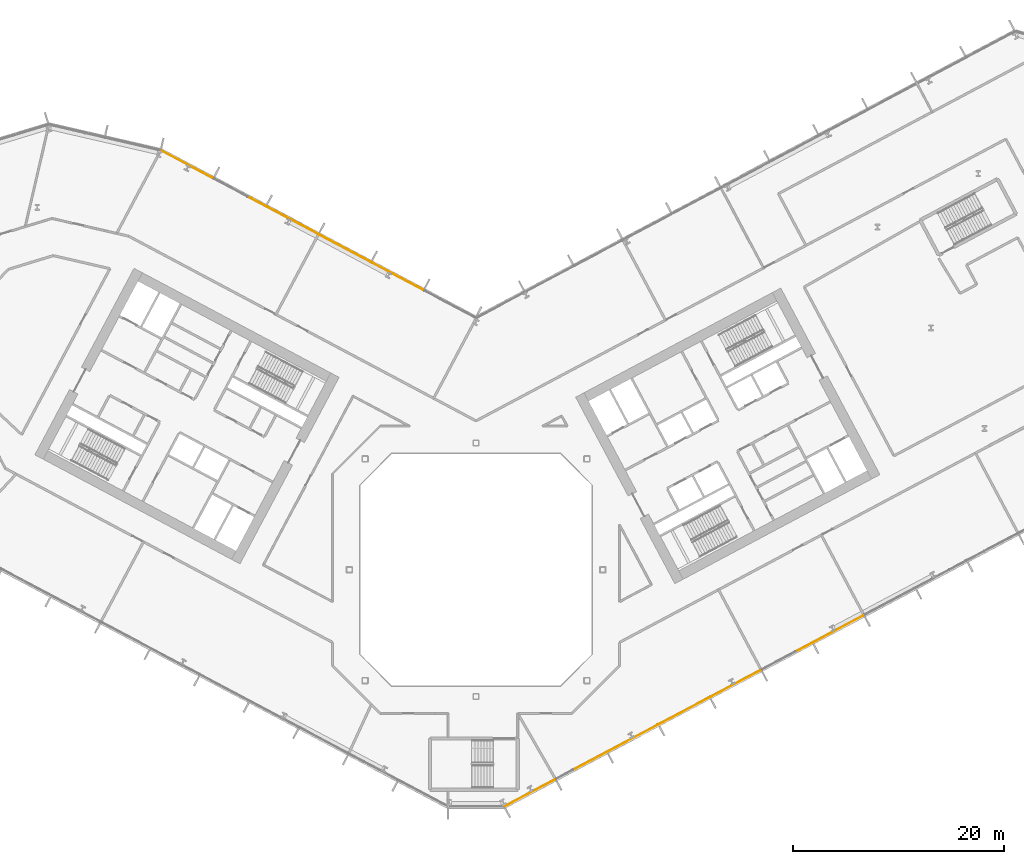
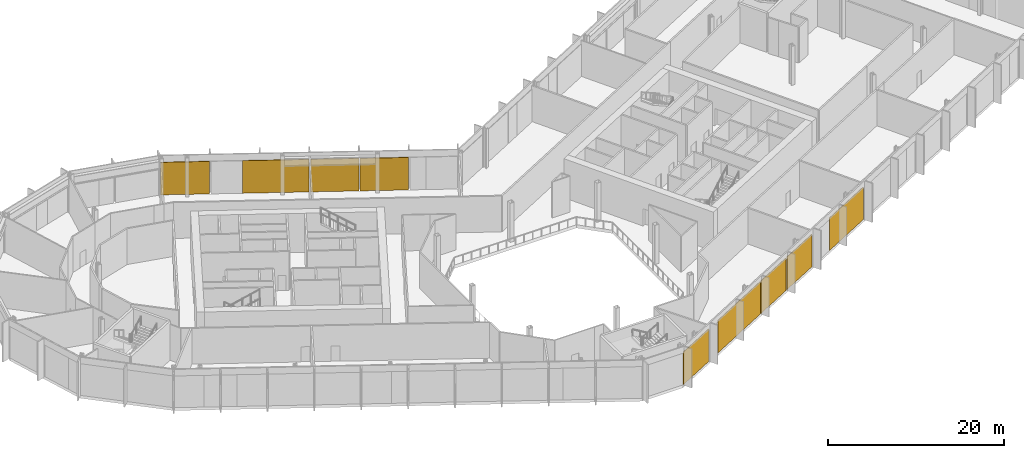
# One storey, part 25 of 30: 9 coverings, 2 elements without a shape of their own.
"""IFC4 building model written with IfcOpenShell, lengths in metres."""

from ifc_helpers import new_model, si_unit, direction, frame, origin, origin_2d, place, context, subcontext, project, spatial, rectangle, extrude, material, layer, layer_set, type_object, element, aggregate, save


model = new_model("IFC4")

# Units and contexts
model_context = context("Model", 3, precision=1e-05, world=origin(), true_north=direction((0.0, 1.0)))
body_context = subcontext(model_context, "Body", "Model", "MODEL_VIEW")
ifc_project = project(units=[si_unit("LENGTHUNIT", "METRE"), si_unit("AREAUNIT", "SQUARE_METRE"), si_unit("VOLUMEUNIT", "CUBIC_METRE"), si_unit("PLANEANGLEUNIT", "RADIAN"), si_unit("MASSUNIT", "GRAM", prefix="KILO")], contexts=[model_context])

# Site, building, storey
site_placement = place(None, origin())
site = spatial("IfcSite", under=ifc_project, at=site_placement, CompositionType="ELEMENT")
building_placement = place(site_placement, origin())
building = spatial("IfcBuilding", under=site, at=building_placement, Name="Cormorant Relay Tower", CompositionType="ELEMENT")
storey_placement = place(building_placement, frame((0.0, 0.0, 44.60009765625)))
storey = spatial("IfcBuildingStorey", under=building, at=storey_placement, Name="L08", CompositionType="ELEMENT", Elevation=44.60009765625)

# Curtain wall, coverings
ifc_material_1 = material(Name="Aluminium 6063-T6 anodised bronze", Category="aluminium")
ifc_layer_1 = layer(ifc_material_1, 0.235107421875)
ifc_layer_set_1 = layer_set([ifc_layer_1], Name="CW6 data hall curtain wall with mineral wool panels")
curtain_wall_type = type_object("IfcCurtainWallType", Name="CW6 data hall curtain wall with mineral wool panels", PredefinedType="NOTDEFINED", material=ifc_layer_set_1)
curtain_wall_1_placement = place(storey_placement, origin())
curtain_wall_1 = element("IfcCurtainWall", 1, at=curtain_wall_1_placement, inside=storey, type_object=curtain_wall_type, Name="CW6 curtain wall 2", PredefinedType="NOTDEFINED")
ifc_material_2 = material(Name="Mineral wool cored anodised bronze aluminium cassette panel", Category="aluminium")
ifc_layer_2 = layer(ifc_material_2, 0.074951171875)
ifc_layer_set_2 = layer_set([ifc_layer_2], Name="CW6 mineral wool cassette panel 75")
covering_type = type_object("IfcCoveringType", Name="CW6 mineral wool cassette panel 75", PredefinedType="CLADDING", material=ifc_layer_set_2)
covering_1_placement = place(storey_placement, frame((5.099853515625, -21.11474609375, 0.0), z_axis=(0.0, 0.0, 1.0), x_axis=(0.882947592859, 0.469471562786, 0.0)))
covering_1 = element("IfcCovering", 2, at=covering_1_placement, type_object=covering_type, Name="CW6 panel S00", PredefinedType="CLADDING", context=body_context, shape_type="SweptSolid", body=[
    extrude(rectangle(XDim=5.36181640625, YDim=0.074951171875, at=origin_2d()), origin(), (0.0, 0.0, 1.0), 4.5),
])
covering_2_placement = place(storey_placement, frame((13.1943359375, -16.810791015625, 0.0), z_axis=(0.0, 0.0, 1.0), x_axis=(0.882947592859, 0.469471562786, 0.0)))
covering_2 = element("IfcCovering", 3, at=covering_2_placement, type_object=covering_type, Name="CW6 panel S02", PredefinedType="CLADDING", context=body_context, shape_type="SweptSolid", body=[
    extrude(rectangle(XDim=9.07373046875, YDim=0.074951171875, at=origin_2d()), origin(), (0.0, 0.0, 1.0), 4.5),
])
covering_3_placement = place(storey_placement, frame((19.69970703125, -13.351806640625, 0.0), z_axis=(0.0, 0.0, 1.0), x_axis=(0.882947592859, 0.469471562786, 0.0)))
covering_3 = element("IfcCovering", 4, at=covering_3_placement, type_object=covering_type, Name="CW6 panel S03", PredefinedType="CLADDING", context=body_context, shape_type="SweptSolid", body=[
    extrude(rectangle(XDim=5.36181640625, YDim=0.074951171875, at=origin_2d()), origin(), (0.0, 0.0, 1.0), 4.5),
])
covering_4_placement = place(storey_placement, frame((24.56640625, -10.76416015625, 0.0), z_axis=(0.0, 0.0, 1.0), x_axis=(0.882947592859, 0.469471562786, 0.0)))
covering_4 = element("IfcCovering", 5, at=covering_4_placement, type_object=covering_type, Name="CW6 panel S04", PredefinedType="CLADDING", context=body_context, shape_type="SweptSolid", body=[
    extrude(rectangle(XDim=5.36181640625, YDim=0.074951171875, at=origin_2d()), origin(), (0.0, 0.0, 1.0), 4.5),
])
covering_5_placement = place(storey_placement, frame((33.455810546875, -6.03759765625, 0.0), z_axis=(0.0, 0.0, 1.0), x_axis=(0.882947592859, 0.469471562786, 0.0)))
covering_5 = element("IfcCovering", 6, at=covering_5_placement, type_object=covering_type, Name="CW6 panel S06", PredefinedType="CLADDING", context=body_context, shape_type="SweptSolid", body=[
    extrude(rectangle(XDim=7.273681640625, YDim=0.074951171875, at=origin_2d()), origin(), (0.0, 0.0, 1.0), 4.5),
])
aggregate(curtain_wall_1, [covering_1, covering_2, covering_3, covering_4, covering_5])

curtain_wall_2_placement = place(storey_placement, origin())
curtain_wall_2 = element("IfcCurtainWall", 7, at=curtain_wall_2_placement, inside=storey, type_object=curtain_wall_type, Name="CW6 curtain wall 7", PredefinedType="NOTDEFINED")
covering_6_placement = place(storey_placement, frame((-7.45068359375, 27.7880859375, 0.0), z_axis=(0.0, 0.0, 1.0), x_axis=(-0.882947592859, 0.469471562786, 0.0)))
covering_6 = element("IfcCovering", 8, at=covering_6_placement, type_object=covering_type, Name="CW6 panel S02", PredefinedType="CLADDING", context=body_context, shape_type="SweptSolid", body=[
    extrude(rectangle(XDim=5.489013671875, YDim=0.074951171875, at=origin_2d()), origin(), (0.0, 0.0, 1.0), 4.5),
])
covering_7_placement = place(storey_placement, frame((-12.4296875, 30.435546875, 0.0), z_axis=(0.0, 0.0, 1.0), x_axis=(-0.882947592859, 0.469471562786, 0.0)))
covering_7 = element("IfcCovering", 9, at=covering_7_placement, type_object=covering_type, Name="CW6 panel S03", PredefinedType="CLADDING", context=body_context, shape_type="SweptSolid", body=[
    extrude(rectangle(XDim=5.489013671875, YDim=0.074951171875, at=origin_2d()), origin(), (0.0, 0.0, 1.0), 4.5),
])
covering_8_placement = place(storey_placement, frame((-18.308837890625, 33.5615234375, 0.0), z_axis=(0.0, 0.0, 1.0), x_axis=(-0.882947592859, 0.469471562786, 0.0)))
covering_8 = element("IfcCovering", 10, at=covering_8_placement, type_object=covering_type, Name="CW6 panel S04", PredefinedType="CLADDING", context=body_context, shape_type="SweptSolid", body=[
    extrude(rectangle(XDim=7.528076171875, YDim=0.074951171875, at=origin_2d()), origin(), (0.0, 0.0, 1.0), 4.5),
])
covering_9_placement = place(storey_placement, frame((-27.39990234375, 38.395263671875, 0.0), z_axis=(0.0, 0.0, 1.0), x_axis=(-0.882947592859, 0.469471562786, 0.0)))
covering_9 = element("IfcCovering", 11, at=covering_9_placement, type_object=covering_type, Name="CW6 panel S06", PredefinedType="CLADDING", context=body_context, shape_type="SweptSolid", body=[
    extrude(rectangle(XDim=5.56396484375, YDim=0.074951171875, at=origin_2d()), origin(), (0.0, 0.0, 1.0), 4.5),
])
aggregate(curtain_wall_2, [covering_6, covering_7, covering_8, covering_9])

save(model, "model.ifc")
